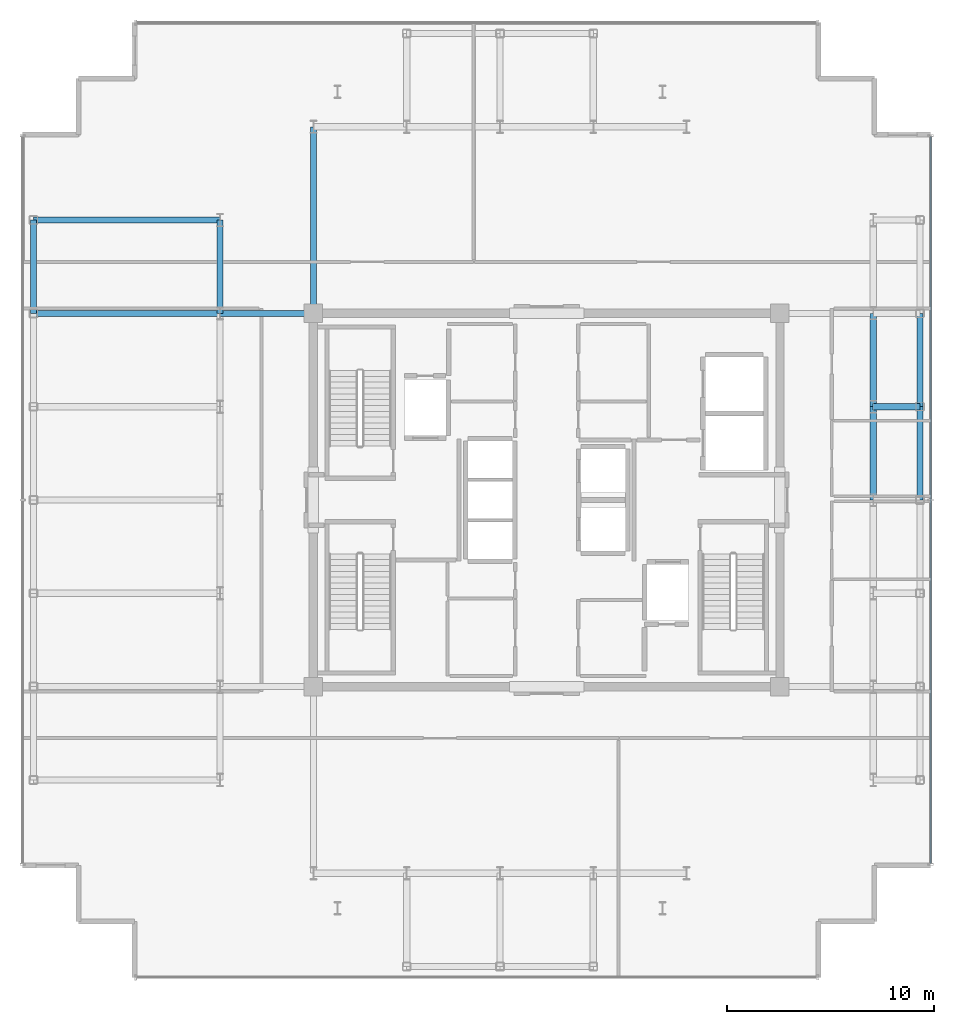
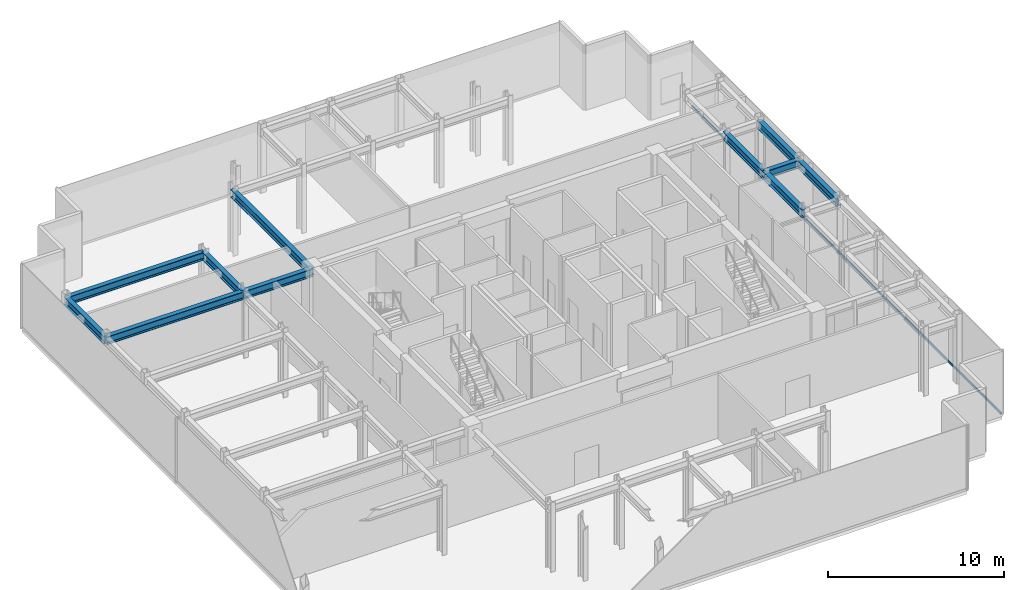
# One storey, part 8 of 17: 11 beams, 1 member, 1 element without a shape of its own.
"""IFC4 building model written with IfcOpenShell, lengths in metres."""

from ifc_helpers import new_model, si_unit, direction, frame, origin, origin_2d, place, context, subcontext, project, spatial, hollow_rectangle, i_section, extrude, source, transform, mapped, material, layer, layer_set, material_profile, profile_set, type_object, element, aggregate, save


model = new_model("IFC4")

# Units and contexts
model_context = context("Model", 3, precision=1e-05, world=origin(), true_north=direction((0.0, 1.0)))
body_context = subcontext(model_context, "Body", "Model", "MODEL_VIEW")
ifc_project = project(units=[si_unit("LENGTHUNIT", "METRE"), si_unit("AREAUNIT", "SQUARE_METRE"), si_unit("VOLUMEUNIT", "CUBIC_METRE"), si_unit("PLANEANGLEUNIT", "RADIAN"), si_unit("MASSUNIT", "GRAM", prefix="KILO")], contexts=[model_context])

# Site, building, storey
site_placement = place(None, origin())
site = spatial("IfcSite", under=ifc_project, at=site_placement, CompositionType="ELEMENT")
building_placement = place(site_placement, origin())
building = spatial("IfcBuilding", under=site, at=building_placement, Name="Nefas-Gora Pilgrimage Tower", CompositionType="ELEMENT")
storey_placement = place(building_placement, frame((0.0, 0.0, 349.0)))
storey = spatial("IfcBuildingStorey", under=building, at=storey_placement, Name="L88", CompositionType="ELEMENT", Elevation=349.0)

# Beams
ifc_material_1 = material(Name="Steel S355", Category="steel")
ifc_material_profile_1 = material_profile(ifc_material_1, i_section(OverallWidth=0.300048828125, OverallDepth=0.550048828125, WebThickness=0.014892578125, FlangeThickness=0.029052734375, FilletRadius=0.027099609375, at=origin_2d()), Name="HEB 550")
ifc_profile_set_1 = profile_set([ifc_material_profile_1], Name="Steel S355")
beam_type_1 = type_object("IfcBeamType", Name="BM-SPN-HEB400", PredefinedType="SPANDREL", material=ifc_profile_set_1)
shared_shape_1 = source(origin(), body_context, "Body", "SweptSolid", [
    extrude(i_section(OverallWidth=0.300048828125, OverallDepth=0.550048828125, WebThickness=0.014892578125, FlangeThickness=0.029052734375, FilletRadius=0.027099609375, at=origin_2d()), origin(), (0.0, 0.0, 1.0), 4.5),
])
for number, where, z_axis, x_axis, name in (
    (1, (-24.75, 9.0, 4.22509765625), (0.0, 1.0, 0.0), (-1.0, 0.0, 0.0), "L88 SP-04 beam"),
    (2, (18.0, 0.0, 4.22509765625), (0.0, 1.0, 0.0), (-1.0, 0.0, 0.0), "L88 SP-04 beam"),
    (3, (18.0, 4.5, 4.22509765625), (0.0, 1.0, 0.0), (-1.0, 0.0, 0.0), "L88 SP-04 beam"),
):
    element("IfcBeam", number, at=place(storey_placement, frame(where, z_axis=z_axis, x_axis=x_axis)), inside=storey, type_object=beam_type_1, Name=name, PredefinedType="SPANDREL", context=body_context, shape_type="MappedRepresentation", body=[
        mapped(shared_shape_1, transform((0.0, 0.0, 0.0), x_axis=(1.0, 0.0, 0.0), y_axis=(0.0, 1.0, 0.0), z_axis=(0.0, 0.0, 1.0), scale=1.0)),
    ])
ifc_material_profile_2 = material_profile(ifc_material_1, i_section(OverallWidth=0.300048828125, OverallDepth=0.550048828125, WebThickness=0.014892578125, FlangeThickness=0.029052734375, FilletRadius=0.027099609375, at=origin_2d()), Name="HEB 550")
ifc_profile_set_2 = profile_set([ifc_material_profile_2], Name="Steel S355")
beam_type_2 = type_object("IfcBeamType", Name="BM-GIR-HEB550", PredefinedType="BEAM", material=ifc_profile_set_2)
shared_shape_2 = source(origin(), body_context, "Body", "SweptSolid", [
    extrude(i_section(OverallWidth=0.300048828125, OverallDepth=0.550048828125, WebThickness=0.014892578125, FlangeThickness=0.029052734375, FilletRadius=0.027099609375, at=origin_2d()), origin(), (0.0, 0.0, 1.0), 9.0),
])
for number, where, z_axis, x_axis, name in (
    (4, (-24.75, 9.0, 4.22509765625), (1.0, 0.0, 0.0), (0.0, 1.0, 0.0), "L88 G-05 beam"),
    (5, (-24.75, 13.5, 4.22509765625), (1.0, 0.0, 0.0), (0.0, 1.0, 0.0), "L88 G-05 beam"),
    (6, (-11.25, 9.0, 4.22509765625), (0.0, 1.0, 0.0), (-1.0, 0.0, 0.0), "L88 G-05 beam"),
):
    element("IfcBeam", number, at=place(storey_placement, frame(where, z_axis=z_axis, x_axis=x_axis)), inside=storey, type_object=beam_type_2, Name=name, PredefinedType="BEAM", context=body_context, shape_type="MappedRepresentation", body=[
        mapped(shared_shape_2, transform((0.0, 0.0, 0.0), x_axis=(1.0, 0.0, 0.0), y_axis=(0.0, 1.0, 0.0), z_axis=(0.0, 0.0, 1.0), scale=1.0)),
    ])
shared_shape_3 = source(origin(), body_context, "Body", "SweptSolid", [
    extrude(i_section(OverallWidth=0.300048828125, OverallDepth=0.550048828125, WebThickness=0.014892578125, FlangeThickness=0.029052734375, FilletRadius=0.027099609375, at=origin_2d()), origin(), (0.0, 0.0, 1.0), 4.5),
])
for number, where, z_axis, x_axis, name in (
    (7, (-15.75, 9.0, 4.22509765625), (0.0, 1.0, 0.0), (-1.0, 0.0, 0.0), "L88 G-05 beam"),
    (8, (-15.75, 9.0, 4.22509765625), (1.0, 0.0, 0.0), (0.0, 1.0, 0.0), "L88 G-05 beam"),
    (9, (15.75, 0.0, 4.22509765625), (0.0, 1.0, 0.0), (-1.0, 0.0, 0.0), "L88 G-05 beam"),
    (10, (15.75, 4.5, 4.22509765625), (0.0, 1.0, 0.0), (-1.0, 0.0, 0.0), "L88 G-05 beam"),
):
    element("IfcBeam", number, at=place(storey_placement, frame(where, z_axis=z_axis, x_axis=x_axis)), inside=storey, type_object=beam_type_2, Name=name, PredefinedType="BEAM", context=body_context, shape_type="MappedRepresentation", body=[
        mapped(shared_shape_3, transform((0.0, 0.0, 0.0), x_axis=(1.0, 0.0, 0.0), y_axis=(0.0, 1.0, 0.0), z_axis=(0.0, 0.0, 1.0), scale=1.0)),
    ])
shared_shape_4 = source(origin(), body_context, "Body", "SweptSolid", [
    extrude(i_section(OverallWidth=0.300048828125, OverallDepth=0.550048828125, WebThickness=0.014892578125, FlangeThickness=0.029052734375, FilletRadius=0.027099609375, at=origin_2d()), origin(), (0.0, 0.0, 1.0), 2.25),
])
beam_placement = place(storey_placement, frame((15.75, 4.5, 4.22509765625), z_axis=(1.0, 0.0, 0.0), x_axis=(0.0, 1.0, 0.0)))
element("IfcBeam", 11, at=beam_placement, inside=storey, type_object=beam_type_2, Name="L88 G-05 beam", PredefinedType="BEAM", context=body_context, shape_type="MappedRepresentation", body=[
    mapped(shared_shape_4, transform((0.0, 0.0, 0.0), x_axis=(1.0, 0.0, 0.0), y_axis=(0.0, 1.0, 0.0), z_axis=(0.0, 0.0, 1.0), scale=1.0)),
])

# Curtain wall, member
ifc_material_2 = material(Name="Dark ceramic-fritted solar-control aluminium-glass curtain wall", Category="aluminium")
ifc_layer = layer(ifc_material_2, 0.219970703125)
ifc_layer_set = layer_set([ifc_layer], Name="Dark ceramic-fritted solar-control aluminium-glass curtain wall")
curtain_wall_type = type_object("IfcCurtainWallType", Name="CW-SYS-6", PredefinedType="NOTDEFINED", material=ifc_layer_set)
curtain_wall_placement = place(storey_placement, origin())
curtain_wall = element("IfcCurtainWall", 12, at=curtain_wall_placement, inside=storey, type_object=curtain_wall_type, Name="L88 Unitised Curtain Wall CW6", PredefinedType="NOTDEFINED")
ifc_material_3 = material(Name="Anodised architectural aluminium", Category="aluminium")
ifc_material_profile_3 = material_profile(ifc_material_3, hollow_rectangle(XDim=0.080078125, YDim=0.159912109375, WallThickness=0.00439453125, InnerFilletRadius=0.00439453125, OuterFilletRadius=0.009033203125, at=origin_2d()), Name="ALU TRANSOM 80x160")
ifc_profile_set_3 = profile_set([ifc_material_profile_3], Name="Anodised architectural aluminium")
member_type = type_object("IfcMemberType", Name="CWM-TRN-6", PredefinedType="USERDEFINED", material=ifc_profile_set_3)
shared_shape_5 = source(origin(), body_context, "Body", "SweptSolid", [
    extrude(hollow_rectangle(XDim=0.080078125, YDim=0.159912109375, WallThickness=0.00439453125, InnerFilletRadius=0.00439453125, OuterFilletRadius=0.009033203125, at=origin_2d()), origin(), (0.0, 0.0, 1.0), 35.06005859375),
])
member_placement = place(storey_placement, frame((18.52001953125, -17.530029296875, 0.050048828125), z_axis=(0.0, 1.0, 0.0), x_axis=(-1.0, 0.0, 0.0)))
member = element("IfcMember", 13, at=member_placement, type_object=member_type, Name="CW6 Spandrel Transom", ObjectType="TRANSOM", PredefinedType="USERDEFINED", context=body_context, shape_type="MappedRepresentation", body=[
    mapped(shared_shape_5, transform((0.0, 0.0, 0.0), x_axis=(1.0, 0.0, 0.0), y_axis=(0.0, 1.0, 0.0), z_axis=(0.0, 0.0, 1.0), scale=1.0)),
])
aggregate(curtain_wall, [member])

save(model, "model.ifc")
